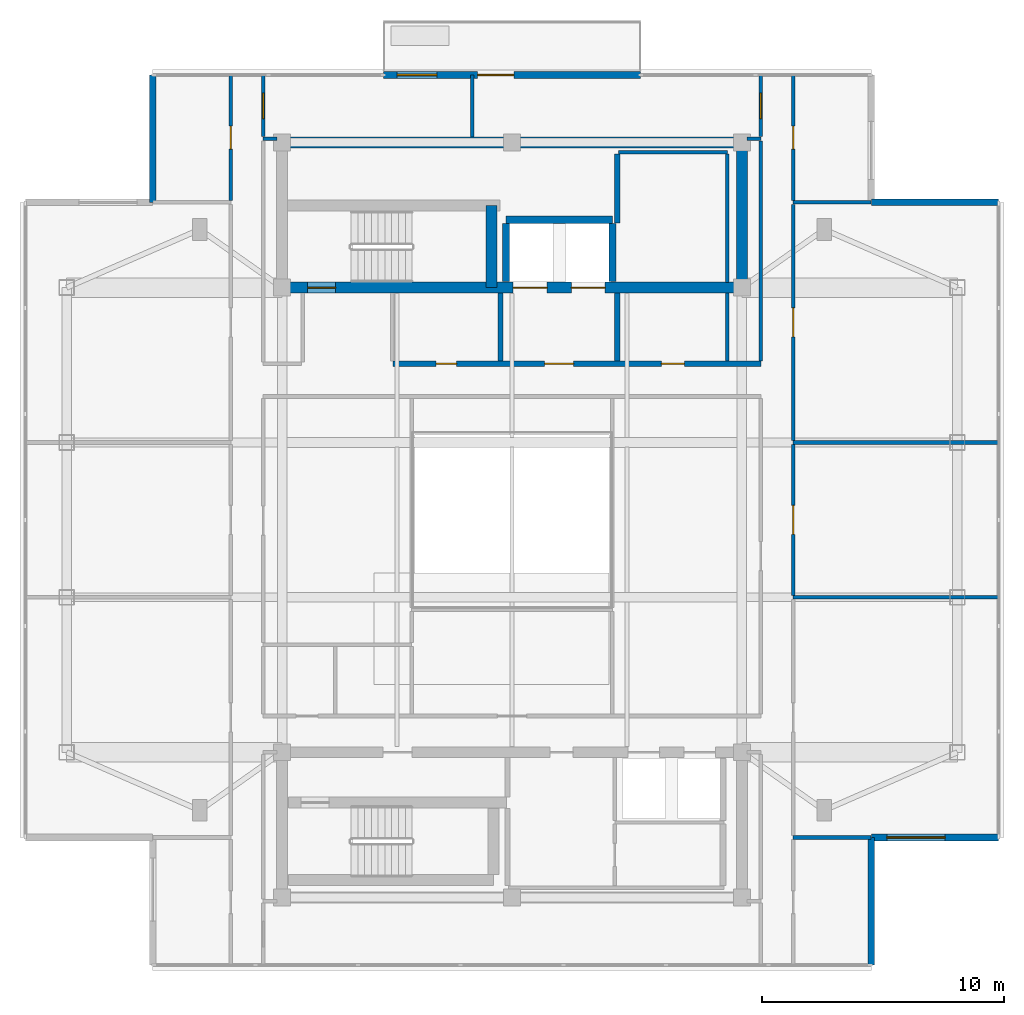
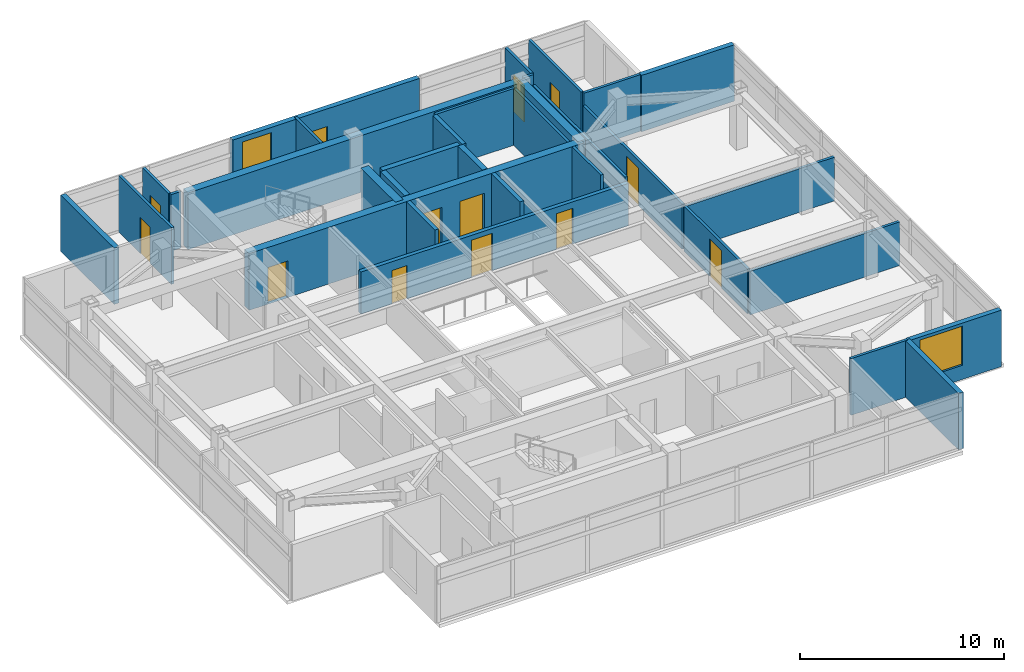
# One storey, part 7 of 12: 33 walls, 13 doors, 2 windows, 15 openings.
"""IFC4 building model written with IfcOpenShell, lengths in metres."""

from ifc_helpers import new_model, si_unit, direction, frame, frame_2d, origin, place, context, subcontext, project, spatial, rectangle, extrude, material, layer, layer_set, type_object, element, fill, save


model = new_model("IFC4")

# Units and contexts
model_context = context("Model", 3, precision=1e-05, world=origin(), true_north=direction((0.0, 1.0)))
body_context = subcontext(model_context, "Body", "Model", "MODEL_VIEW")
ifc_project = project(units=[si_unit("LENGTHUNIT", "METRE"), si_unit("AREAUNIT", "SQUARE_METRE"), si_unit("VOLUMEUNIT", "CUBIC_METRE"), si_unit("PLANEANGLEUNIT", "RADIAN"), si_unit("MASSUNIT", "GRAM", prefix="KILO")], contexts=[model_context])

# Site, building, storey
site_placement = place(None, origin())
site = spatial("IfcSite", under=ifc_project, at=site_placement, CompositionType="ELEMENT")
building_placement = place(site_placement, origin())
building = spatial("IfcBuilding", under=site, at=building_placement, Name="Mirazonda Arch Towers", CompositionType="ELEMENT")
storey_placement = place(building_placement, frame((0.0, 0.0, 252.699951171875)))
storey = spatial("IfcBuildingStorey", under=building, at=storey_placement, Name="L72", CompositionType="ELEMENT", Elevation=252.699951171875)

# Walls
ifc_material_1 = material(Name="Concrete C50/60", Category="concrete")
ifc_layer_1 = layer(ifc_material_1, 0.449951171875, Name="WALL-CORE-450")
ifc_layer_set_1 = layer_set([ifc_layer_1], Name="Concrete C50/60")
wall_type_1 = type_object("IfcWallType", Name="WALL-CORE-450", PredefinedType="SHEAR", material=ifc_layer_set_1)
wall_1_placement = place(storey_placement, frame((11.0, 43.60009765625, 0.0), z_axis=(0.0, 0.0, 1.0), x_axis=(1.0, 0.0, 0.0)))
element("IfcWall", 1, at=wall_1_placement, inside=storey, type_object=wall_type_1, Name="L72 T1N-N Core Shear Wall", PredefinedType="SHEAR", context=body_context, shape_type="SweptSolid", body=[
    extrude(rectangle(XDim=19.0, YDim=0.449951171875, at=frame_2d((9.5, 0.0))), origin(), (0.0, 0.0, 1.0), 3.400146484375),
])
wall_2_placement = place(storey_placement, frame((30.0, 37.60009765625, 0.0), z_axis=(0.0, 0.0, 1.0), x_axis=(0.0, 1.0, 0.0)))
element("IfcWall", 2, at=wall_2_placement, inside=storey, type_object=wall_type_1, Name="L72 T1N-E Core Shear Wall", PredefinedType="SHEAR", context=body_context, shape_type="SweptSolid", body=[
    extrude(rectangle(XDim=6.0, YDim=0.449951171875, at=frame_2d((3.0, 0.0))), origin(), (0.0, 0.0, 1.0), 3.400146484375),
])

# Wall, openings, doors
wall_3_placement = place(storey_placement, frame((11.0, 37.60009765625, 0.0), z_axis=(0.0, 0.0, 1.0), x_axis=(1.0, 0.0, 0.0)))
wall_3 = element("IfcWall", 3, at=wall_3_placement, inside=storey, type_object=wall_type_1, Name="L72 T1N-S Core Shear Wall", PredefinedType="SHEAR", context=body_context, shape_type="SweptSolid", body=[
    extrude(rectangle(XDim=19.0, YDim=0.449951171875, at=frame_2d((9.5, 0.0))), origin(), (0.0, 0.0, 1.0), 3.400146484375),
])
opening_1_placement = place(wall_3_placement, frame((1.06005859375, 0.0, 0.0)))
opening_1 = element("IfcOpeningElement", 4, at=opening_1_placement, cuts=wall_3, Name="Opening DR-135", PredefinedType="OPENING", context=body_context, shape_type="SweptSolid", body=[
    extrude(rectangle(XDim=1.14990234375, YDim=2.199951171875, at=frame_2d((0.574951171875, 1.10009765625))), frame((0.0, 0.23486328125, 0.0), z_axis=(0.0, -1.0, 0.0), x_axis=(1.0, 0.0, 0.0)), (0.0, 0.0, 1.0), 0.469970703125),
])
opening_2_placement = place(wall_3_placement, frame((9.550048828125, 0.0, 0.0)))
opening_2 = element("IfcOpeningElement", 5, at=opening_2_placement, cuts=wall_3, Name="Opening LD-112", PredefinedType="OPENING", context=body_context, shape_type="SweptSolid", body=[
    extrude(rectangle(XDim=1.39990234375, YDim=2.35009765625, at=frame_2d((0.699951171875, 1.175048828125))), frame((0.0, 0.23486328125, 0.0), z_axis=(0.0, -1.0, 0.0), x_axis=(1.0, 0.0, 0.0)), (0.0, 0.0, 1.0), 0.469970703125),
])
opening_3_placement = place(wall_3_placement, frame((11.949951171875, 0.0, 0.0)))
opening_3 = element("IfcOpeningElement", 6, at=opening_3_placement, cuts=wall_3, Name="Opening LD-112", PredefinedType="OPENING", context=body_context, shape_type="SweptSolid", body=[
    extrude(rectangle(XDim=1.39990234375, YDim=2.35009765625, at=frame_2d((0.699951171875, 1.175048828125))), frame((0.0, 0.23486328125, 0.0), z_axis=(0.0, -1.0, 0.0), x_axis=(1.0, 0.0, 0.0)), (0.0, 0.0, 1.0), 0.469970703125),
])
ifc_material_2 = material(Name="Architectural Brushed Steel S355", Category="steel")
door_type_1 = type_object("IfcDoorType", Name="DOOR-LIFT-FFL-1400", OperationType="NOTDEFINED", PredefinedType="DOOR", material=ifc_material_2)
door_1_placement = place(opening_2_placement, origin())
door_1 = element("IfcDoor", 7, at=door_1_placement, inside=storey, type_object=door_type_1, Name="L72 Lift Landing Sliding Door FFL-T1", OperationType="DOUBLE_DOOR_SLIDING", OverallHeight=2.35009765625, OverallWidth=1.39990234375, PredefinedType="DOOR", context=body_context, shape_type="SweptSolid", body=[
    extrude(rectangle(XDim=1.39990234375, YDim=2.35009765625, at=frame_2d((0.699951171875, 1.175048828125))), frame((0.0, 0.02490234375, 0.0), z_axis=(0.0, -1.0, 0.0), x_axis=(1.0, 0.0, 0.0)), (0.0, 0.0, 1.0), 0.050048828125),
])
fill(opening_2, door_1)
door_2_placement = place(opening_3_placement, origin())
door_2 = element("IfcDoor", 8, at=door_2_placement, inside=storey, type_object=door_type_1, Name="L72 Lift Landing Sliding Door SVL-T1", OperationType="DOUBLE_DOOR_SLIDING", OverallHeight=2.35009765625, OverallWidth=1.39990234375, PredefinedType="DOOR", context=body_context, shape_type="SweptSolid", body=[
    extrude(rectangle(XDim=1.39990234375, YDim=2.35009765625, at=frame_2d((0.699951171875, 1.175048828125))), frame((0.0, 0.02490234375, 0.0), z_axis=(0.0, -1.0, 0.0), x_axis=(1.0, 0.0, 0.0)), (0.0, 0.0, 1.0), 0.050048828125),
])
fill(opening_3, door_2)
door_type_2 = type_object("IfcDoorType", Name="DOOR-STAIR-FD90-1150", OperationType="NOTDEFINED", PredefinedType="DOOR", material=ifc_material_2)
door_3_placement = place(opening_1_placement, origin())
door_3 = element("IfcDoor", 9, at=door_3_placement, inside=storey, type_object=door_type_2, Name="L72 Protected Exit Stair North Door", OperationType="SINGLE_SWING_RIGHT", OverallHeight=2.199951171875, OverallWidth=1.14990234375, PredefinedType="DOOR", context=body_context, shape_type="SweptSolid", body=[
    extrude(rectangle(XDim=1.14990234375, YDim=2.199951171875, at=frame_2d((0.574951171875, 1.10009765625))), frame((0.0, 0.02490234375, 0.0), z_axis=(0.0, -1.0, 0.0), x_axis=(1.0, 0.0, 0.0)), (0.0, 0.0, 1.0), 0.050048828125),
])
fill(opening_1, door_3)

# Wall
wall_4_placement = place(storey_placement, frame((19.64990234375, 37.60009765625, 0.0), z_axis=(0.0, 0.0, 1.0), x_axis=(0.0, 1.0, 0.0)))
element("IfcWall", 10, at=wall_4_placement, inside=storey, type_object=wall_type_1, Name="L72 T1N-STE Core Shear Wall", PredefinedType="SHEAR", context=body_context, shape_type="SweptSolid", body=[
    extrude(rectangle(XDim=3.392822265625, YDim=0.449951171875, at=frame_2d((1.6962890625, 0.0))), origin(), (0.0, 0.0, 1.0), 3.400146484375),
])

# Wall, openings, door, window
ifc_material_3 = material(Name="Precast Concrete C40/50", Category="concrete")
ifc_layer_2 = layer(ifc_material_3, 0.280029296875, Name="WALL-EXT-WALL-280")
ifc_layer_set_2 = layer_set([ifc_layer_2], Name="Precast Concrete C40/50")
wall_type_2 = type_object("IfcWallType", Name="WALL-EXT-WALL-280", PredefinedType="SOLIDWALL", material=ifc_layer_set_2)
wall_5_placement = place(storey_placement, frame((15.199951171875, 46.387939453125, 0.0), z_axis=(0.0, 0.0, 1.0), x_axis=(1.0, 0.0, 0.0)))
wall_5 = element("IfcWall", 11, at=wall_5_placement, inside=storey, type_object=wall_type_2, Name="L72 T1 Sky-Terrace Threshold Wall WL-TERR-L72-T1", PredefinedType="SOLIDWALL", context=body_context, shape_type="SweptSolid", body=[
    extrude(rectangle(XDim=10.60009765625, YDim=0.280029296875, at=frame_2d((5.300048828125, 0.0))), origin(), (0.0, 0.0, 1.0), 3.360107421875),
])
opening_4_placement = place(wall_5_placement, frame((0.550048828125, 0.0, 0.85009765625)))
opening_4 = element("IfcOpeningElement", 12, at=opening_4_placement, cuts=wall_5, Name="Opening WN-115", PredefinedType="OPENING", context=body_context, shape_type="SweptSolid", body=[
    extrude(rectangle(XDim=1.64990234375, YDim=2.199951171875, at=frame_2d((0.824951171875, 1.10009765625))), frame((0.0, 0.14990234375, 0.0), z_axis=(0.0, -1.0, 0.0), x_axis=(1.0, 0.0, 0.0)), (0.0, 0.0, 1.0), 0.300048828125),
])
opening_5_placement = place(wall_5_placement, frame((3.8798828125, 0.0, 0.0)))
opening_5 = element("IfcOpeningElement", 13, at=opening_5_placement, cuts=wall_5, Name="Opening DR-116", PredefinedType="OPENING", context=body_context, shape_type="SweptSolid", body=[
    extrude(rectangle(XDim=1.5, YDim=2.300048828125, at=frame_2d((0.75, 1.14990234375))), frame((0.0, 0.14990234375, 0.0), z_axis=(0.0, -1.0, 0.0), x_axis=(1.0, 0.0, 0.0)), (0.0, 0.0, 1.0), 0.300048828125),
])
ifc_material_4 = material(Name="Architectural Hardwood Timber", Category="wood")
door_type_3 = type_object("IfcDoorType", Name="DOOR-TERR-EXT-1500", OperationType="NOTDEFINED", PredefinedType="DOOR", material=ifc_material_4)
door_4_placement = place(opening_5_placement, origin())
door_4 = element("IfcDoor", 14, at=door_4_placement, inside=storey, type_object=door_type_3, Name="L72 Exterior Door DR-TERR-L72-T1", OperationType="SINGLE_SWING_LEFT", OverallHeight=2.300048828125, OverallWidth=1.5, PredefinedType="DOOR", context=body_context, shape_type="SweptSolid", body=[
    extrude(rectangle(XDim=1.5, YDim=2.300048828125, at=frame_2d((0.75, 1.14990234375))), frame((0.0, 0.02490234375, 0.0), z_axis=(0.0, -1.0, 0.0), x_axis=(1.0, 0.0, 0.0)), (0.0, 0.0, 1.0), 0.050048828125),
])
fill(opening_5, door_4)
ifc_material_5 = material(Name="Insulated Low-E Solar Glass", Category="glass")
window_type_1 = type_object("IfcWindowType", Name="WIN-RES-1650x2200", PartitioningType="SINGLE_PANEL", PredefinedType="WINDOW", material=ifc_material_5)
window_1_placement = place(opening_4_placement, origin())
window_1 = element("IfcWindow", 15, at=window_1_placement, inside=storey, type_object=window_type_1, Name="L72 Punched Facade Window WN-TERR-L72-T1", OverallHeight=2.199951171875, OverallWidth=1.64990234375, PartitioningType="SINGLE_PANEL", PredefinedType="WINDOW", context=body_context, shape_type="SweptSolid", body=[
    extrude(rectangle(XDim=1.64990234375, YDim=2.199951171875, at=frame_2d((0.824951171875, 1.10009765625))), frame((0.0, 0.030029296875, 0.0), z_axis=(0.0, -1.0, 0.0), x_axis=(1.0, 0.0, 0.0)), (0.0, 0.0, 1.0), 0.06005859375),
])
fill(opening_4, window_1)

# Wall, opening, window
wall_6_placement = place(storey_placement, frame((35.344970703125, 14.876953125, 0.0), z_axis=(0.0, 0.0, 1.0), x_axis=(1.0, 0.0, 0.0)))
wall_6 = element("IfcWall", 16, at=wall_6_placement, inside=storey, type_object=wall_type_2, Name="L72 T1 Corner Notch Return Wall WL-L72-T1-CSE1", PredefinedType="SOLIDWALL", context=body_context, shape_type="SweptSolid", body=[
    extrude(rectangle(XDim=5.26513671875, YDim=0.280029296875, at=frame_2d((2.632568359375, 0.0))), origin(), (0.0, 0.0, 1.0), 3.380126953125),
])
opening_6_placement = place(wall_6_placement, frame((0.64990234375, 0.0, 0.85009765625)))
opening_6 = element("IfcOpeningElement", 17, at=opening_6_placement, cuts=wall_6, Name="Opening WN-121", PredefinedType="OPENING", context=body_context, shape_type="SweptSolid", body=[
    extrude(rectangle(XDim=2.39990234375, YDim=2.35009765625, at=frame_2d((1.199951171875, 1.175048828125))), frame((0.0, 0.14990234375, 0.0), z_axis=(0.0, -1.0, 0.0), x_axis=(1.0, 0.0, 0.0)), (0.0, 0.0, 1.0), 0.300048828125),
])
window_type_2 = type_object("IfcWindowType", Name="WIN-PENT-2400x2350", PartitioningType="SINGLE_PANEL", PredefinedType="WINDOW", material=ifc_material_5)
window_2_placement = place(opening_6_placement, origin())
window_2 = element("IfcWindow", 18, at=window_2_placement, inside=storey, type_object=window_type_2, Name="L72 Punched Facade Window WN-L72-T1-CSE1", OverallHeight=2.35009765625, OverallWidth=2.39990234375, PartitioningType="SINGLE_PANEL", PredefinedType="WINDOW", context=body_context, shape_type="SweptSolid", body=[
    extrude(rectangle(XDim=2.39990234375, YDim=2.35009765625, at=frame_2d((1.199951171875, 1.175048828125))), frame((0.0, 0.030029296875, 0.0), z_axis=(0.0, -1.0, 0.0), x_axis=(1.0, 0.0, 0.0)), (0.0, 0.0, 1.0), 0.06005859375),
])
fill(opening_6, window_2)

# Walls
for number, where, z_axis, x_axis, name in (
    (19, (35.344970703125, 9.612060546875, 0.0), (0.0, 0.0, 1.0), (0.0, 1.0, 0.0), "L72 T1 Corner Notch Return Wall WL-L72-T1-CSE2"),
    (20, (5.655029296875, 46.387939453125, 0.0), (0.0, 0.0, 1.0), (0.0, -1.0, 0.0), "L72 T1 Corner Notch Return Wall WL-L72-T1-CNW2"),
):
    element("IfcWall", number, at=place(storey_placement, frame(where, z_axis=z_axis, x_axis=x_axis)), inside=storey, type_object=wall_type_2, Name=name, PredefinedType="SOLIDWALL", context=body_context, shape_type="SweptSolid", body=[
        extrude(rectangle(XDim=5.264892578125, YDim=0.280029296875, at=frame_2d((2.63232421875, 0.0))), origin(), (0.0, 0.0, 1.0), 3.380126953125),
    ])
wall_7_placement = place(storey_placement, frame((40.610107421875, 41.123046875, 0.0), z_axis=(0.0, 0.0, 1.0), x_axis=(-1.0, 0.0, 0.0)))
element("IfcWall", 21, at=wall_7_placement, inside=storey, type_object=wall_type_2, Name="L72 T1 Corner Notch Return Wall WL-L72-T1-CNE2", PredefinedType="SOLIDWALL", context=body_context, shape_type="SweptSolid", body=[
    extrude(rectangle(XDim=5.26513671875, YDim=0.280029296875, at=frame_2d((2.632568359375, 0.0))), origin(), (0.0, 0.0, 1.0), 3.380126953125),
])

# Wall, openings, doors
ifc_material_6 = material(Name="Concrete C40/50", Category="concrete")
ifc_layer_3 = layer(ifc_material_6, 0.219970703125, Name="WALL-FFL-220")
ifc_layer_set_3 = layer_set([ifc_layer_3], Name="Concrete C40/50")
wall_type_3 = type_object("IfcWallType", Name="WALL-FFL-220", PredefinedType="SOLIDWALL", material=ifc_layer_set_3)
wall_8_placement = place(storey_placement, frame((15.590087890625, 34.449951171875, 0.0), z_axis=(0.0, 0.0, 1.0), x_axis=(1.0, 0.0, 0.0)))
wall_8 = element("IfcWall", 22, at=wall_8_placement, inside=storey, type_object=wall_type_3, Name="L72 Interior Partition 020", PredefinedType="SOLIDWALL", context=body_context, shape_type="SweptSolid", body=[
    extrude(rectangle(XDim=15.18994140625, YDim=0.219970703125, at=frame_2d((7.594970703125, 0.0))), origin(), (0.0, 0.0, 1.0), 2.5361328125),
])
opening_7_placement = place(wall_8_placement, frame((6.260009765625, 0.0, 0.0)))
opening_7 = element("IfcOpeningElement", 23, at=opening_7_placement, cuts=wall_8, Name="Opening DR-117", PredefinedType="OPENING", context=body_context, shape_type="SweptSolid", body=[
    extrude(rectangle(XDim=1.199951171875, YDim=2.25, at=frame_2d((0.60009765625, 1.125))), frame((0.0, 0.119873046875, 0.0), z_axis=(0.0, -1.0, 0.0), x_axis=(1.0, 0.0, 0.0)), (0.0, 0.0, 1.0), 0.239990234375),
])
opening_8_placement = place(wall_8_placement, frame((11.0849609375, 0.0, 0.0)))
opening_8 = element("IfcOpeningElement", 24, at=opening_8_placement, cuts=wall_8, Name="Opening DR-104", PredefinedType="OPENING", context=body_context, shape_type="SweptSolid", body=[
    extrude(rectangle(XDim=0.949951171875, YDim=2.14990234375, at=frame_2d((0.47509765625, 1.074951171875))), frame((0.0, 0.119873046875, 0.0), z_axis=(0.0, -1.0, 0.0), x_axis=(1.0, 0.0, 0.0)), (0.0, 0.0, 1.0), 0.239990234375),
])
opening_9_placement = place(wall_8_placement, frame((1.77490234375, 0.0, 0.0)))
opening_9 = element("IfcOpeningElement", 25, at=opening_9_placement, cuts=wall_8, Name="Opening DR-128", PredefinedType="OPENING", context=body_context, shape_type="SweptSolid", body=[
    extrude(rectangle(XDim=0.85009765625, YDim=2.010009765625, at=frame_2d((0.425048828125, 1.0048828125))), frame((0.0, 0.119873046875, 0.0), z_axis=(0.0, -1.0, 0.0), x_axis=(1.0, 0.0, 0.0)), (0.0, 0.0, 1.0), 0.239990234375),
])
door_type_4 = type_object("IfcDoorType", Name="DOOR-FFL-FD90-1200", OperationType="NOTDEFINED", PredefinedType="DOOR", material=ifc_material_2)
door_5_placement = place(opening_7_placement, origin())
door_5 = element("IfcDoor", 26, at=door_5_placement, inside=storey, type_object=door_type_4, Name="L72 Firefighting Lift Lobby Door", OperationType="SINGLE_SWING_LEFT", OverallHeight=2.25, OverallWidth=1.199951171875, PredefinedType="DOOR", context=body_context, shape_type="SweptSolid", body=[
    extrude(rectangle(XDim=1.199951171875, YDim=2.25, at=frame_2d((0.60009765625, 1.125))), frame((0.0, 0.02490234375, 0.0), z_axis=(0.0, -1.0, 0.0), x_axis=(1.0, 0.0, 0.0)), (0.0, 0.0, 1.0), 0.050048828125),
])
fill(opening_7, door_5)
door_type_5 = type_object("IfcDoorType", Name="DOOR-RISER-FD60-850", OperationType="NOTDEFINED", PredefinedType="DOOR", material=ifc_material_2)
door_6_placement = place(opening_9_placement, origin())
door_6 = element("IfcDoor", 27, at=door_6_placement, inside=storey, type_object=door_type_5, Name="L72 Housekeeping Linen Room Door", OperationType="SINGLE_SWING_LEFT", OverallHeight=2.010009765625, OverallWidth=0.85009765625, PredefinedType="DOOR", context=body_context, shape_type="SweptSolid", body=[
    extrude(rectangle(XDim=0.85009765625, YDim=2.010009765625, at=frame_2d((0.425048828125, 1.0048828125))), frame((0.0, 0.02490234375, 0.0), z_axis=(0.0, -1.0, 0.0), x_axis=(1.0, 0.0, 0.0)), (0.0, 0.0, 1.0), 0.050048828125),
])
fill(opening_9, door_6)
door_type_6 = type_object("IfcDoorType", Name="DOOR-ROOM-950", OperationType="NOTDEFINED", PredefinedType="DOOR", material=ifc_material_2)
door_7_placement = place(opening_8_placement, origin())
door_7 = element("IfcDoor", 28, at=door_7_placement, inside=storey, type_object=door_type_6, Name="L72 Sky-Lookout Panorama Gallery Door", OperationType="SINGLE_SWING_RIGHT", OverallHeight=2.14990234375, OverallWidth=0.949951171875, PredefinedType="DOOR", context=body_context, shape_type="SweptSolid", body=[
    extrude(rectangle(XDim=0.949951171875, YDim=2.14990234375, at=frame_2d((0.47509765625, 1.074951171875))), frame((0.0, 0.02490234375, 0.0), z_axis=(0.0, -1.0, 0.0), x_axis=(1.0, 0.0, 0.0)), (0.0, 0.0, 1.0), 0.050048828125),
])
fill(opening_8, door_7)

# Walls
for number, where, z_axis, x_axis, name in (
    (29, (20.02490234375, 34.570068359375, 0.0), (0.0, 0.0, 1.0), (0.0, 1.0, 0.0), "L72 Interior Partition 046"),
    (30, (24.85009765625, 34.570068359375, 0.0), (0.0, 0.0, 1.0), (0.0, 1.0, 0.0), "L72 Interior Partition 055"),
):
    element("IfcWall", number, at=place(storey_placement, frame(where, z_axis=z_axis, x_axis=x_axis)), inside=storey, type_object=wall_type_3, Name=name, PredefinedType="SOLIDWALL", context=body_context, shape_type="SweptSolid", body=[
        extrude(rectangle(XDim=2.809814453125, YDim=0.219970703125, at=frame_2d((1.40478515625, 0.0))), origin(), (0.0, 0.0, 1.0), 3.400146484375),
    ])
wall_9_placement = place(storey_placement, frame((24.85009765625, 40.260009765625, 0.0), z_axis=(0.0, 0.0, 1.0), x_axis=(0.0, 1.0, 0.0)))
element("IfcWall", 31, at=wall_9_placement, inside=storey, type_object=wall_type_3, Name="L72 Interior Partition 056", PredefinedType="SOLIDWALL", context=body_context, shape_type="SweptSolid", body=[
    extrude(rectangle(XDim=2.85498046875, YDim=0.219970703125, at=frame_2d((1.427490234375, 0.0))), origin(), (0.0, 0.0, 1.0), 3.400146484375),
])
ifc_material_7 = material(Name="Fire-Rated Gypsum Stud Partition")
ifc_layer_4 = layer(ifc_material_7, 0.14990234375, Name="WALL-PART-CORR-150")
ifc_layer_set_4 = layer_set([ifc_layer_4], Name="Fire-Rated Gypsum Stud Partition")
wall_type_4 = type_object("IfcWallType", Name="WALL-PART-CORR-150", PredefinedType="PARTITIONING", material=ifc_layer_set_4)
wall_10_placement = place(storey_placement, frame((32.1201171875, 14.876953125, 0.0), z_axis=(0.0, 0.0, 1.0), x_axis=(1.0, 0.0, 0.0)))
element("IfcWall", 32, at=wall_10_placement, inside=storey, type_object=wall_type_4, Name="L72 Interior Partition 006", PredefinedType="PARTITIONING", context=body_context, shape_type="SweptSolid", body=[
    extrude(rectangle(XDim=3.204833984375, YDim=0.14990234375, at=frame_2d((1.6025390625, 0.0))), origin(), (0.0, 0.0, 1.0), 3.400146484375),
])
for number, where, z_axis, x_axis, name in (
    (33, (32.1201171875, 24.800048828125, 0.0), (0.0, 0.0, 1.0), (1.0, 0.0, 0.0), "L72 Interior Partition 015"),
    (34, (32.1201171875, 31.199951171875, 0.0), (0.0, 0.0, 1.0), (1.0, 0.0, 0.0), "L72 Interior Partition 017"),
):
    element("IfcWall", number, at=place(storey_placement, frame(where, z_axis=z_axis, x_axis=x_axis)), inside=storey, type_object=wall_type_4, Name=name, PredefinedType="PARTITIONING", context=body_context, shape_type="SweptSolid", body=[
        extrude(rectangle(XDim=8.489990234375, YDim=0.14990234375, at=frame_2d((4.2451171875, 0.0))), origin(), (0.0, 0.0, 1.0), 2.619140625),
    ])
wall_11_placement = place(storey_placement, frame((32.1201171875, 41.123046875, 0.0), z_axis=(0.0, 0.0, 1.0), x_axis=(1.0, 0.0, 0.0)))
element("IfcWall", 35, at=wall_11_placement, inside=storey, type_object=wall_type_4, Name="L72 Interior Partition 023", PredefinedType="PARTITIONING", context=body_context, shape_type="SweptSolid", body=[
    extrude(rectangle(XDim=3.204833984375, YDim=0.14990234375, at=frame_2d((1.6025390625, 0.0))), origin(), (0.0, 0.0, 1.0), 3.400146484375),
])
wall_12_placement = place(storey_placement, frame((24.89990234375, 43.199951171875, 0.0), z_axis=(0.0, 0.0, 1.0), x_axis=(1.0, 0.0, 0.0)))
element("IfcWall", 36, at=wall_12_placement, inside=storey, type_object=wall_type_4, Name="L72 Interior Partition 024", PredefinedType="PARTITIONING", context=body_context, shape_type="SweptSolid", body=[
    extrude(rectangle(XDim=4.5, YDim=0.14990234375, at=frame_2d((2.25, 0.0))), origin(), (0.0, 0.0, 1.0), 3.400146484375),
])
for number, where, z_axis, x_axis, name in (
    (37, (10.219970703125, 43.75, 0.0), (0.0, 0.0, 1.0), (1.0, 0.0, 0.0), "L72 Interior Partition 025"),
    (38, (30.219970703125, 43.75, 0.0), (0.0, 0.0, 1.0), (1.0, 0.0, 0.0), "L72 Interior Partition 026"),
):
    element("IfcWall", number, at=place(storey_placement, frame(where, z_axis=z_axis, x_axis=x_axis)), inside=storey, type_object=wall_type_4, Name=name, PredefinedType="PARTITIONING", context=body_context, shape_type="SweptSolid", body=[
        extrude(rectangle(XDim=0.56005859375, YDim=0.14990234375, at=frame_2d((0.280029296875, 0.0))), origin(), (0.0, 0.0, 1.0), 3.400146484375),
    ])

# Wall, opening, door
wall_13_placement = place(storey_placement, frame((8.8798828125, 41.2080078125, 0.0), z_axis=(0.0, 0.0, 1.0), x_axis=(0.0, 1.0, 0.0)))
wall_13 = element("IfcWall", 39, at=wall_13_placement, inside=storey, type_object=wall_type_4, Name="L72 Interior Partition 031", PredefinedType="PARTITIONING", context=body_context, shape_type="SweptSolid", body=[
    extrude(rectangle(XDim=5.179931640625, YDim=0.14990234375, at=frame_2d((2.58984375, 0.0))), origin(), (0.0, 0.0, 1.0), 3.400146484375),
])
opening_10_placement = place(wall_13_placement, frame((2.114990234375, 0.0, 0.0)))
opening_10 = element("IfcOpeningElement", 40, at=opening_10_placement, cuts=wall_13, Name="Opening DR-104", PredefinedType="OPENING", context=body_context, shape_type="SweptSolid", body=[
    extrude(rectangle(XDim=0.949951171875, YDim=2.14990234375, at=frame_2d((0.47509765625, 1.074951171875))), frame((0.0, 0.0849609375, 0.0), z_axis=(0.0, -1.0, 0.0), x_axis=(1.0, 0.0, 0.0)), (0.0, 0.0, 1.0), 0.169921875),
])
door_8_placement = place(opening_10_placement, origin())
door_8 = element("IfcDoor", 41, at=door_8_placement, inside=storey, type_object=door_type_6, Name="L72 North Skyline Gallery Alcove West Door", OperationType="SINGLE_SWING_LEFT", OverallHeight=2.14990234375, OverallWidth=0.949951171875, PredefinedType="DOOR", context=body_context, shape_type="SweptSolid", body=[
    extrude(rectangle(XDim=0.949951171875, YDim=2.14990234375, at=frame_2d((0.47509765625, 1.074951171875))), frame((0.0, 0.02490234375, 0.0), z_axis=(0.0, -1.0, 0.0), x_axis=(1.0, 0.0, 0.0)), (0.0, 0.0, 1.0), 0.050048828125),
])
fill(opening_10, door_8)

wall_14_placement = place(storey_placement, frame((10.219970703125, 43.8349609375, 0.0), z_axis=(0.0, 0.0, 1.0), x_axis=(0.0, 1.0, 0.0)))
wall_14 = element("IfcWall", 42, at=wall_14_placement, inside=storey, type_object=wall_type_4, Name="L72 Interior Partition 037", PredefinedType="PARTITIONING", context=body_context, shape_type="SweptSolid", body=[
    extrude(rectangle(XDim=2.552978515625, YDim=0.14990234375, at=frame_2d((1.2763671875, 0.0))), origin(), (0.0, 0.0, 1.0), 3.400146484375),
])
opening_11_placement = place(wall_14_placement, frame((0.75146484375, 0.0, 0.0)))
opening_11 = element("IfcOpeningElement", 43, at=opening_11_placement, cuts=wall_14, Name="Opening DR-121", PredefinedType="OPENING", context=body_context, shape_type="SweptSolid", body=[
    extrude(rectangle(XDim=1.050048828125, YDim=2.199951171875, at=frame_2d((0.52490234375, 1.10009765625))), frame((0.0, 0.0849609375, 0.0), z_axis=(0.0, -1.0, 0.0), x_axis=(1.0, 0.0, 0.0)), (0.0, 0.0, 1.0), 0.169921875),
])
door_type_7 = type_object("IfcDoorType", Name="DOOR-SUITE-FD60-1050", OperationType="NOTDEFINED", PredefinedType="DOOR", material=ifc_material_2)
door_9_placement = place(opening_11_placement, origin())
door_9 = element("IfcDoor", 44, at=door_9_placement, inside=storey, type_object=door_type_7, Name="L72 North Skyline Gallery West Door", OperationType="SINGLE_SWING_LEFT", OverallHeight=2.199951171875, OverallWidth=1.050048828125, PredefinedType="DOOR", context=body_context, shape_type="SweptSolid", body=[
    extrude(rectangle(XDim=1.050048828125, YDim=2.199951171875, at=frame_2d((0.52490234375, 1.10009765625))), frame((0.0, 0.02490234375, 0.0), z_axis=(0.0, -1.0, 0.0), x_axis=(1.0, 0.0, 0.0)), (0.0, 0.0, 1.0), 0.050048828125),
])
fill(opening_11, door_9)

# Walls
wall_15_placement = place(storey_placement, frame((18.85498046875, 43.820068359375, 0.0), z_axis=(0.0, 0.0, 1.0), x_axis=(0.0, 1.0, 0.0)))
element("IfcWall", 45, at=wall_15_placement, inside=storey, type_object=wall_type_4, Name="L72 Interior Partition 044", PredefinedType="PARTITIONING", context=body_context, shape_type="SweptSolid", body=[
    extrude(rectangle(XDim=2.56787109375, YDim=0.14990234375, at=frame_2d((1.283935546875, 0.0))), origin(), (0.0, 0.0, 1.0), 3.400146484375),
])
wall_16_placement = place(storey_placement, frame((29.39990234375, 34.570068359375, 0.0), z_axis=(0.0, 0.0, 1.0), x_axis=(0.0, 1.0, 0.0)))
element("IfcWall", 46, at=wall_16_placement, inside=storey, type_object=wall_type_4, Name="L72 Interior Partition 059", PredefinedType="PARTITIONING", context=body_context, shape_type="SweptSolid", body=[
    extrude(rectangle(XDim=2.809814453125, YDim=0.14990234375, at=frame_2d((1.40478515625, 0.0))), origin(), (0.0, 0.0, 1.0), 3.400146484375),
])
wall_17_placement = place(storey_placement, frame((29.39990234375, 37.820068359375, 0.0), z_axis=(0.0, 0.0, 1.0), x_axis=(0.0, 1.0, 0.0)))
element("IfcWall", 47, at=wall_17_placement, inside=storey, type_object=wall_type_4, Name="L72 Interior Partition 060", PredefinedType="PARTITIONING", context=body_context, shape_type="SweptSolid", body=[
    extrude(rectangle(XDim=5.294921875, YDim=0.14990234375, at=frame_2d((2.6474609375, 0.0))), origin(), (0.0, 0.0, 1.0), 3.400146484375),
])
wall_18_placement = place(storey_placement, frame((30.780029296875, 34.570068359375, 0.0), z_axis=(0.0, 0.0, 1.0), x_axis=(0.0, 1.0, 0.0)))
element("IfcWall", 48, at=wall_18_placement, inside=storey, type_object=wall_type_4, Name="L72 Interior Partition 064", PredefinedType="PARTITIONING", context=body_context, shape_type="SweptSolid", body=[
    extrude(rectangle(XDim=9.094970703125, YDim=0.14990234375, at=frame_2d((4.54736328125, 0.0))), origin(), (0.0, 0.0, 1.0), 2.7919921875),
])

# Wall, opening, door
wall_19_placement = place(storey_placement, frame((30.780029296875, 43.8349609375, 0.0), z_axis=(0.0, 0.0, 1.0), x_axis=(0.0, 1.0, 0.0)))
wall_19 = element("IfcWall", 49, at=wall_19_placement, inside=storey, type_object=wall_type_4, Name="L72 Interior Partition 065", PredefinedType="PARTITIONING", context=body_context, shape_type="SweptSolid", body=[
    extrude(rectangle(XDim=2.552978515625, YDim=0.14990234375, at=frame_2d((1.2763671875, 0.0))), origin(), (0.0, 0.0, 1.0), 3.400146484375),
])
opening_12_placement = place(wall_19_placement, frame((0.75146484375, 0.0, 0.0)))
opening_12 = element("IfcOpeningElement", 50, at=opening_12_placement, cuts=wall_19, Name="Opening DR-121", PredefinedType="OPENING", context=body_context, shape_type="SweptSolid", body=[
    extrude(rectangle(XDim=1.050048828125, YDim=2.199951171875, at=frame_2d((0.52490234375, 1.10009765625))), frame((0.0, 0.0849609375, 0.0), z_axis=(0.0, -1.0, 0.0), x_axis=(1.0, 0.0, 0.0)), (0.0, 0.0, 1.0), 0.169921875),
])
door_10_placement = place(opening_12_placement, origin())
door_10 = element("IfcDoor", 51, at=door_10_placement, inside=storey, type_object=door_type_7, Name="L72 North Skyline Gallery East Door", OperationType="SINGLE_SWING_RIGHT", OverallHeight=2.199951171875, OverallWidth=1.050048828125, PredefinedType="DOOR", context=body_context, shape_type="SweptSolid", body=[
    extrude(rectangle(XDim=1.050048828125, YDim=2.199951171875, at=frame_2d((0.52490234375, 1.10009765625))), frame((0.0, 0.02490234375, 0.0), z_axis=(0.0, -1.0, 0.0), x_axis=(1.0, 0.0, 0.0)), (0.0, 0.0, 1.0), 0.050048828125),
])
fill(opening_12, door_10)

wall_20_placement = place(storey_placement, frame((32.1201171875, 24.885009765625, 0.0), z_axis=(0.0, 0.0, 1.0), x_axis=(0.0, 1.0, 0.0)))
wall_20 = element("IfcWall", 52, at=wall_20_placement, inside=storey, type_object=wall_type_4, Name="L72 Interior Partition 068", PredefinedType="PARTITIONING", context=body_context, shape_type="SweptSolid", body=[
    extrude(rectangle(XDim=6.22998046875, YDim=0.14990234375, at=frame_2d((3.114990234375, 0.0))), origin(), (0.0, 0.0, 1.0), 2.696044921875),
])
opening_13_placement = place(wall_20_placement, frame((2.514892578125, 0.0, 0.0)))
opening_13 = element("IfcOpeningElement", 53, at=opening_13_placement, cuts=wall_20, Name="Opening DR-117", PredefinedType="OPENING", context=body_context, shape_type="SweptSolid", body=[
    extrude(rectangle(XDim=1.199951171875, YDim=2.25, at=frame_2d((0.60009765625, 1.125))), frame((0.0, 0.0849609375, 0.0), z_axis=(0.0, -1.0, 0.0), x_axis=(1.0, 0.0, 0.0)), (0.0, 0.0, 1.0), 0.169921875),
])
door_11_placement = place(opening_13_placement, origin())
door_11 = element("IfcDoor", 54, at=door_11_placement, inside=storey, type_object=door_type_4, Name="L72 Interactive City Heritage Gallery 2 Door", OperationType="SINGLE_SWING_LEFT", OverallHeight=2.25, OverallWidth=1.199951171875, PredefinedType="DOOR", context=body_context, shape_type="SweptSolid", body=[
    extrude(rectangle(XDim=1.199951171875, YDim=2.25, at=frame_2d((0.60009765625, 1.125))), frame((0.0, 0.02490234375, 0.0), z_axis=(0.0, -1.0, 0.0), x_axis=(1.0, 0.0, 0.0)), (0.0, 0.0, 1.0), 0.050048828125),
])
fill(opening_13, door_11)

wall_21_placement = place(storey_placement, frame((32.1201171875, 31.284912109375, 0.0), z_axis=(0.0, 0.0, 1.0), x_axis=(0.0, 1.0, 0.0)))
wall_21 = element("IfcWall", 55, at=wall_21_placement, inside=storey, type_object=wall_type_4, Name="L72 Interior Partition 069", PredefinedType="PARTITIONING", context=body_context, shape_type="SweptSolid", body=[
    extrude(rectangle(XDim=9.753173828125, YDim=0.14990234375, at=frame_2d((4.87646484375, 0.0))), origin(), (0.0, 0.0, 1.0), 2.696044921875),
])
opening_14_placement = place(wall_21_placement, frame((4.276611328125, 0.0, 0.0)))
opening_14 = element("IfcOpeningElement", 56, at=opening_14_placement, cuts=wall_21, Name="Opening DR-117", PredefinedType="OPENING", context=body_context, shape_type="SweptSolid", body=[
    extrude(rectangle(XDim=1.199951171875, YDim=2.25, at=frame_2d((0.60009765625, 1.125))), frame((0.0, 0.0849609375, 0.0), z_axis=(0.0, -1.0, 0.0), x_axis=(1.0, 0.0, 0.0)), (0.0, 0.0, 1.0), 0.169921875),
])
door_12_placement = place(opening_14_placement, origin())
door_12 = element("IfcDoor", 57, at=door_12_placement, inside=storey, type_object=door_type_4, Name="L72 High-Altitude Telescope Salon 3 Door", OperationType="SINGLE_SWING_RIGHT", OverallHeight=2.25, OverallWidth=1.199951171875, PredefinedType="DOOR", context=body_context, shape_type="SweptSolid", body=[
    extrude(rectangle(XDim=1.199951171875, YDim=2.25, at=frame_2d((0.60009765625, 1.125))), frame((0.0, 0.02490234375, 0.0), z_axis=(0.0, -1.0, 0.0), x_axis=(1.0, 0.0, 0.0)), (0.0, 0.0, 1.0), 0.050048828125),
])
fill(opening_14, door_12)

wall_22_placement = place(storey_placement, frame((32.1201171875, 41.2080078125, 0.0), z_axis=(0.0, 0.0, 1.0), x_axis=(0.0, 1.0, 0.0)))
wall_22 = element("IfcWall", 58, at=wall_22_placement, inside=storey, type_object=wall_type_4, Name="L72 Interior Partition 070", PredefinedType="PARTITIONING", context=body_context, shape_type="SweptSolid", body=[
    extrude(rectangle(XDim=5.179931640625, YDim=0.14990234375, at=frame_2d((2.58984375, 0.0))), origin(), (0.0, 0.0, 1.0), 3.400146484375),
])
opening_15_placement = place(wall_22_placement, frame((2.114990234375, 0.0, 0.0)))
opening_15 = element("IfcOpeningElement", 59, at=opening_15_placement, cuts=wall_22, Name="Opening DR-104", PredefinedType="OPENING", context=body_context, shape_type="SweptSolid", body=[
    extrude(rectangle(XDim=0.949951171875, YDim=2.14990234375, at=frame_2d((0.47509765625, 1.074951171875))), frame((0.0, 0.0849609375, 0.0), z_axis=(0.0, -1.0, 0.0), x_axis=(1.0, 0.0, 0.0)), (0.0, 0.0, 1.0), 0.169921875),
])
door_13_placement = place(opening_15_placement, origin())
door_13 = element("IfcDoor", 60, at=door_13_placement, inside=storey, type_object=door_type_6, Name="L72 North Skyline Gallery Alcove East Door", OperationType="SINGLE_SWING_RIGHT", OverallHeight=2.14990234375, OverallWidth=0.949951171875, PredefinedType="DOOR", context=body_context, shape_type="SweptSolid", body=[
    extrude(rectangle(XDim=0.949951171875, YDim=2.14990234375, at=frame_2d((0.47509765625, 1.074951171875))), frame((0.0, 0.02490234375, 0.0), z_axis=(0.0, -1.0, 0.0), x_axis=(1.0, 0.0, 0.0)), (0.0, 0.0, 1.0), 0.050048828125),
])
fill(opening_15, door_13)

# Walls
ifc_layer_5 = layer(ifc_material_1, 0.300048828125, Name="WALL-SHAFT-300")
ifc_layer_set_5 = layer_set([ifc_layer_5], Name="Concrete C50/60")
wall_type_5 = type_object("IfcWallType", Name="WALL-SHAFT-300", PredefinedType="SOLIDWALL", material=ifc_layer_set_5)
wall_23_placement = place(storey_placement, frame((20.25, 40.39990234375, 0.0), z_axis=(0.0, 0.0, 1.0), x_axis=(1.0, 0.0, 0.0)))
element("IfcWall", 61, at=wall_23_placement, inside=storey, type_object=wall_type_5, Name="L72 Interior Partition 021", PredefinedType="SOLIDWALL", context=body_context, shape_type="SweptSolid", body=[
    extrude(rectangle(XDim=4.39990234375, YDim=0.300048828125, at=frame_2d((2.199951171875, 0.0))), origin(), (0.0, 0.0, 1.0), 3.400146484375),
])
for number, where, z_axis, x_axis, name in (
    (62, (20.25, 37.85009765625, 0.0), (0.0, 0.0, 1.0), (0.0, 1.0, 0.0), "L72 Interior Partition 049"),
    (63, (24.64990234375, 37.85009765625, 0.0), (0.0, 0.0, 1.0), (0.0, 1.0, 0.0), "L72 Interior Partition 054"),
):
    element("IfcWall", number, at=place(storey_placement, frame(where, z_axis=z_axis, x_axis=x_axis)), inside=storey, type_object=wall_type_5, Name=name, PredefinedType="SOLIDWALL", context=body_context, shape_type="SweptSolid", body=[
        extrude(rectangle(XDim=2.389892578125, YDim=0.300048828125, at=frame_2d((1.19482421875, 0.0))), origin(), (0.0, 0.0, 1.0), 3.400146484375),
    ])

save(model, "model.ifc")
